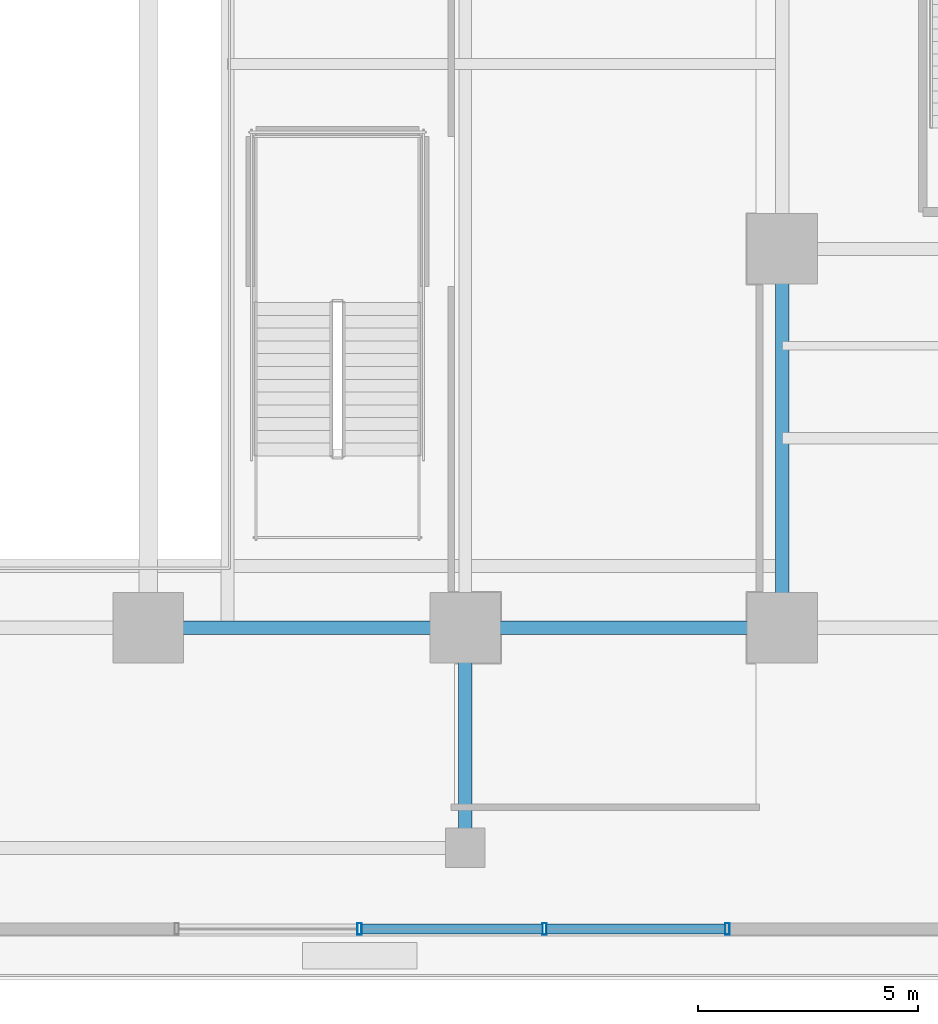
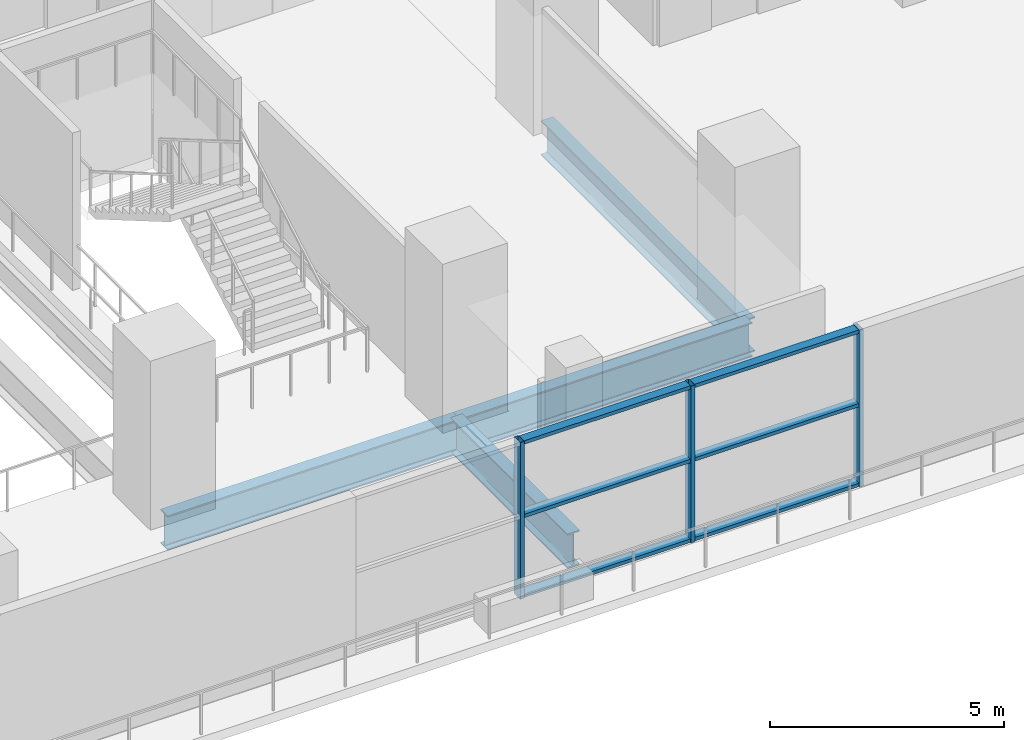
# One storey, part 6 of 21: 9 members, 4 beams, 1 element without a shape of its own.
"""IFC4 building model written with IfcOpenShell, lengths in metres."""

from ifc_helpers import new_model, si_unit, direction, frame, origin, origin_2d, place, context, subcontext, project, spatial, hollow_rectangle, i_section, extrude, source, transform, mapped, material, layer, layer_set, material_profile, profile_set, type_object, element, aggregate, save


model = new_model("IFC4")

# Units and contexts
model_context = context("Model", 3, precision=1e-05, world=origin(), true_north=direction((0.0, 1.0)))
body_context = subcontext(model_context, "Body", "Model", "MODEL_VIEW")
ifc_project = project(units=[si_unit("LENGTHUNIT", "METRE"), si_unit("AREAUNIT", "SQUARE_METRE"), si_unit("VOLUMEUNIT", "CUBIC_METRE"), si_unit("PLANEANGLEUNIT", "RADIAN"), si_unit("MASSUNIT", "GRAM", prefix="KILO")], contexts=[model_context])

# Site, building, storey
site_placement = place(None, origin())
site = spatial("IfcSite", under=ifc_project, at=site_placement, CompositionType="ELEMENT")
building_placement = place(site_placement, origin())
building = spatial("IfcBuilding", under=site, at=building_placement, Name="Zarnakvel Exchange Tower", CompositionType="ELEMENT")
storey_placement = place(building_placement, frame((0.0, 0.0, 5.0)))
storey = spatial("IfcBuildingStorey", under=building, at=storey_placement, Name="L01", CompositionType="ELEMENT", Elevation=5.0)

# Beams
ifc_material_1 = material(Name="Steel S355", Category="steel")
ifc_material_profile_1 = material_profile(ifc_material_1, i_section(OverallWidth=0.300048828125, OverallDepth=0.89990234375, WebThickness=0.0185546875, FlangeThickness=0.034912109375, FilletRadius=0.030029296875, at=origin_2d()))
ifc_profile_set_1 = profile_set([ifc_material_profile_1], Name="Steel S355")
beam_type = type_object("IfcBeamType", Name="G-01", PredefinedType="BEAM", material=ifc_profile_set_1)
beam_1_placement = place(storey_placement, frame((7.199951171875, -18.199951171875, -0.75), z_axis=(1.0, 0.0, 0.0), x_axis=(0.0, 1.0, 0.0)))
element("IfcBeam", 1, at=beam_1_placement, inside=storey, type_object=beam_type, Name="L01 Primary E-W Girder Y=-18.2", PredefinedType="BEAM", context=body_context, shape_type="SweptSolid", body=[
    extrude(i_section(OverallWidth=0.300048828125, OverallDepth=0.89990234375, WebThickness=0.0185546875, FlangeThickness=0.034912109375, FilletRadius=0.030029296875, at=origin_2d()), origin(), (0.0, 0.0, 1.0), 7.199951171875),
])
beam_2_placement = place(storey_placement, frame((14.39990234375, -18.199951171875, -0.75), z_axis=(1.0, 0.0, 0.0), x_axis=(0.0, 1.0, 0.0)))
element("IfcBeam", 2, at=beam_2_placement, inside=storey, type_object=beam_type, Name="L01 Primary E-W Girder Y=-18.2", PredefinedType="BEAM", context=body_context, shape_type="SweptSolid", body=[
    extrude(i_section(OverallWidth=0.300048828125, OverallDepth=0.89990234375, WebThickness=0.0185546875, FlangeThickness=0.034912109375, FilletRadius=0.030029296875, at=origin_2d()), origin(), (0.0, 0.0, 1.0), 7.2001953125),
])
beam_3_placement = place(storey_placement, frame((14.39990234375, -23.199951171875, -0.75), z_axis=(0.0, 1.0, 0.0), x_axis=(-1.0, 0.0, 0.0)))
element("IfcBeam", 3, at=beam_3_placement, inside=storey, type_object=beam_type, Name="L01 Primary N-S Girder X=+14.4", PredefinedType="BEAM", context=body_context, shape_type="SweptSolid", body=[
    extrude(i_section(OverallWidth=0.300048828125, OverallDepth=0.89990234375, WebThickness=0.0185546875, FlangeThickness=0.034912109375, FilletRadius=0.030029296875, at=origin_2d()), origin(), (0.0, 0.0, 1.0), 5.0),
])
beam_4_placement = place(storey_placement, frame((21.60009765625, -18.199951171875, -0.75), z_axis=(0.0, 1.0, 0.0), x_axis=(-1.0, 0.0, 0.0)))
element("IfcBeam", 4, at=beam_4_placement, inside=storey, type_object=beam_type, Name="L01 Primary N-S Girder X=+21.6", PredefinedType="BEAM", context=body_context, shape_type="SweptSolid", body=[
    extrude(i_section(OverallWidth=0.300048828125, OverallDepth=0.89990234375, WebThickness=0.0185546875, FlangeThickness=0.034912109375, FilletRadius=0.030029296875, at=origin_2d()), origin(), (0.0, 0.0, 1.0), 8.599853515625),
])

# Curtain wall, members
ifc_material_2 = material(Name="Architectural Bronze Anodised Aluminium", Category="aluminium")
ifc_layer = layer(ifc_material_2, 0.260009765625)
ifc_layer_set = layer_set([ifc_layer], Name="Architectural Bronze Anodised Aluminium")
curtain_wall_type = type_object("IfcCurtainWallType", Name="CW-01", PredefinedType="NOTDEFINED", material=ifc_layer_set)
curtain_wall_placement = place(storey_placement, origin())
curtain_wall = element("IfcCurtainWall", 5, at=curtain_wall_placement, inside=storey, type_object=curtain_wall_type, Name="L01 Curtain Wall CW-L01-S2 (CW-01)", PredefinedType="NOTDEFINED")
ifc_material_profile_2 = material_profile(ifc_material_2, hollow_rectangle(XDim=0.219970703125, YDim=0.090087890625, WallThickness=0.0048828125, at=origin_2d()))
ifc_profile_set_2 = profile_set([ifc_material_profile_2], Name="Architectural Bronze Anodised Aluminium")
member_type_1 = type_object("IfcMemberType", Name="CWT-01", PredefinedType="USERDEFINED", material=ifc_profile_set_2)
shared_shape_1 = source(origin(), body_context, "Body", "SweptSolid", [
    extrude(hollow_rectangle(XDim=0.219970703125, YDim=0.090087890625, WallThickness=0.0048828125, at=origin_2d()), origin(), (0.0, 0.0, 1.0), 4.050048828125),
])
member_1_placement = place(storey_placement, frame((16.25, -25.0400390625, 0.044921875), z_axis=(1.0, 0.0, 0.0), x_axis=(0.0, 1.0, 0.0)))
member_1 = element("IfcMember", 6, at=member_1_placement, type_object=member_type_1, Name="CW-01 transom 3.1", ObjectType="TRANSOM", PredefinedType="USERDEFINED", context=body_context, shape_type="MappedRepresentation", body=[
    mapped(shared_shape_1, transform((0.0, 0.0, 0.0), x_axis=(1.0, 0.0, 0.0), y_axis=(0.0, 1.0, 0.0), z_axis=(0.0, 0.0, 1.0), scale=1.0)),
])
member_2_placement = place(storey_placement, frame((16.25, -25.0400390625, 2.12158203125), z_axis=(1.0, 0.0, 0.0), x_axis=(0.0, 1.0, 0.0)))
member_2 = element("IfcMember", 7, at=member_2_placement, type_object=member_type_1, Name="CW-01 transom 3.2", ObjectType="TRANSOM", PredefinedType="USERDEFINED", context=body_context, shape_type="MappedRepresentation", body=[
    mapped(shared_shape_1, transform((0.0, 0.0, 0.0), x_axis=(1.0, 0.0, 0.0), y_axis=(0.0, 1.0, 0.0), z_axis=(0.0, 0.0, 1.0), scale=1.0)),
])
member_3_placement = place(storey_placement, frame((16.25, -25.0400390625, 4.034912109375), z_axis=(1.0, 0.0, 0.0), x_axis=(0.0, 1.0, 0.0)))
member_3 = element("IfcMember", 8, at=member_3_placement, type_object=member_type_1, Name="CW-01 transom 3.3", ObjectType="TRANSOM", PredefinedType="USERDEFINED", context=body_context, shape_type="MappedRepresentation", body=[
    mapped(shared_shape_1, transform((0.0, 0.0, 0.0), x_axis=(1.0, 0.0, 0.0), y_axis=(0.0, 1.0, 0.0), z_axis=(0.0, 0.0, 1.0), scale=1.0)),
])
shared_shape_2 = source(origin(), body_context, "Body", "SweptSolid", [
    extrude(hollow_rectangle(XDim=0.219970703125, YDim=0.090087890625, WallThickness=0.0048828125, at=origin_2d()), origin(), (0.0, 0.0, 1.0), 4.099853515625),
])
member_4_placement = place(storey_placement, frame((12.050048828125, -25.0400390625, 0.044921875), z_axis=(1.0, 0.0, 0.0), x_axis=(0.0, 1.0, 0.0)))
member_4 = element("IfcMember", 9, at=member_4_placement, type_object=member_type_1, Name="CW-01 transom 2.1", ObjectType="TRANSOM", PredefinedType="USERDEFINED", context=body_context, shape_type="MappedRepresentation", body=[
    mapped(shared_shape_2, transform((0.0, 0.0, 0.0), x_axis=(1.0, 0.0, 0.0), y_axis=(0.0, 1.0, 0.0), z_axis=(0.0, 0.0, 1.0), scale=1.0)),
])
member_5_placement = place(storey_placement, frame((12.050048828125, -25.0400390625, 2.12158203125), z_axis=(1.0, 0.0, 0.0), x_axis=(0.0, 1.0, 0.0)))
member_5 = element("IfcMember", 10, at=member_5_placement, type_object=member_type_1, Name="CW-01 transom 2.2", ObjectType="TRANSOM", PredefinedType="USERDEFINED", context=body_context, shape_type="MappedRepresentation", body=[
    mapped(shared_shape_2, transform((0.0, 0.0, 0.0), x_axis=(1.0, 0.0, 0.0), y_axis=(0.0, 1.0, 0.0), z_axis=(0.0, 0.0, 1.0), scale=1.0)),
])
member_6_placement = place(storey_placement, frame((12.050048828125, -25.0400390625, 4.034912109375), z_axis=(1.0, 0.0, 0.0), x_axis=(0.0, 1.0, 0.0)))
member_6 = element("IfcMember", 11, at=member_6_placement, type_object=member_type_1, Name="CW-01 transom 2.3", ObjectType="TRANSOM", PredefinedType="USERDEFINED", context=body_context, shape_type="MappedRepresentation", body=[
    mapped(shared_shape_2, transform((0.0, 0.0, 0.0), x_axis=(1.0, 0.0, 0.0), y_axis=(0.0, 1.0, 0.0), z_axis=(0.0, 0.0, 1.0), scale=1.0)),
])
ifc_material_profile_3 = material_profile(ifc_material_2, hollow_rectangle(XDim=0.260009765625, YDim=0.10009765625, WallThickness=0.006103515625, at=origin_2d()))
ifc_profile_set_3 = profile_set([ifc_material_profile_3], Name="Architectural Bronze Anodised Aluminium")
member_type_2 = type_object("IfcMemberType", Name="CWM-01", PredefinedType="MULLION", material=ifc_profile_set_3)
shared_shape_3 = source(origin(), body_context, "Body", "SweptSolid", [
    extrude(hollow_rectangle(XDim=0.260009765625, YDim=0.10009765625, WallThickness=0.006103515625, at=origin_2d()), origin(), (0.0, 0.0, 1.0), 4.080078125),
])
member_7_placement = place(storey_placement, frame((12.0, -25.0400390625, 0.0), z_axis=(0.0, 0.0, 1.0), x_axis=(0.0, 1.0, 0.0)))
member_7 = element("IfcMember", 12, at=member_7_placement, type_object=member_type_2, Name="CW-01 mullion 2", PredefinedType="MULLION", context=body_context, shape_type="MappedRepresentation", body=[
    mapped(shared_shape_3, transform((0.0, 0.0, 0.0), x_axis=(1.0, 0.0, 0.0), y_axis=(0.0, 1.0, 0.0), z_axis=(0.0, 0.0, 1.0), scale=1.0)),
])
member_8_placement = place(storey_placement, frame((16.199951171875, -25.0400390625, 0.0), z_axis=(0.0, 0.0, 1.0), x_axis=(0.0, 1.0, 0.0)))
member_8 = element("IfcMember", 13, at=member_8_placement, type_object=member_type_2, Name="CW-01 mullion 3", PredefinedType="MULLION", context=body_context, shape_type="MappedRepresentation", body=[
    mapped(shared_shape_3, transform((0.0, 0.0, 0.0), x_axis=(1.0, 0.0, 0.0), y_axis=(0.0, 1.0, 0.0), z_axis=(0.0, 0.0, 1.0), scale=1.0)),
])
member_9_placement = place(storey_placement, frame((20.35009765625, -25.0400390625, 0.0), z_axis=(0.0, 0.0, 1.0), x_axis=(0.0, 1.0, 0.0)))
member_9 = element("IfcMember", 14, at=member_9_placement, type_object=member_type_2, Name="CW-01 mullion 4", PredefinedType="MULLION", context=body_context, shape_type="MappedRepresentation", body=[
    mapped(shared_shape_3, transform((0.0, 0.0, 0.0), x_axis=(1.0, 0.0, 0.0), y_axis=(0.0, 1.0, 0.0), z_axis=(0.0, 0.0, 1.0), scale=1.0)),
])
aggregate(curtain_wall, [member_7, member_8, member_9, member_4, member_5, member_6, member_1, member_2, member_3])

save(model, "model.ifc")
